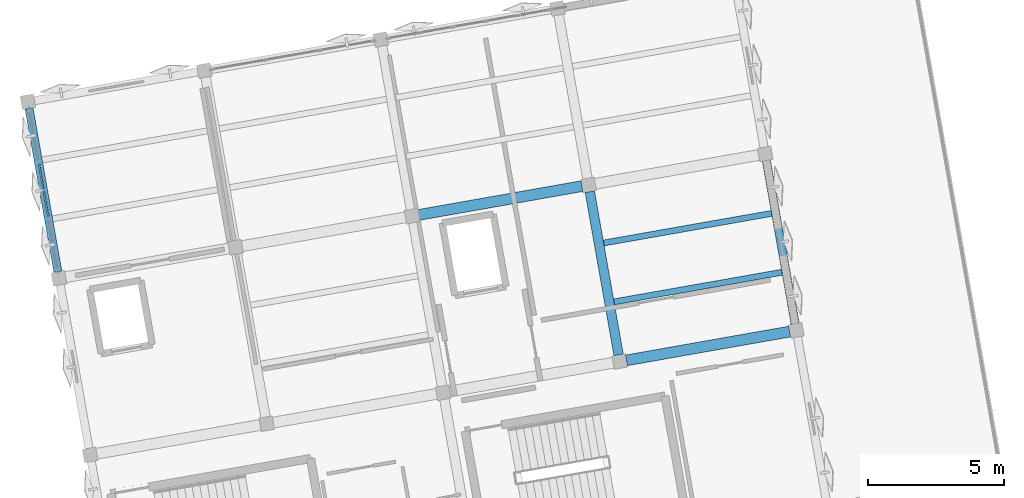
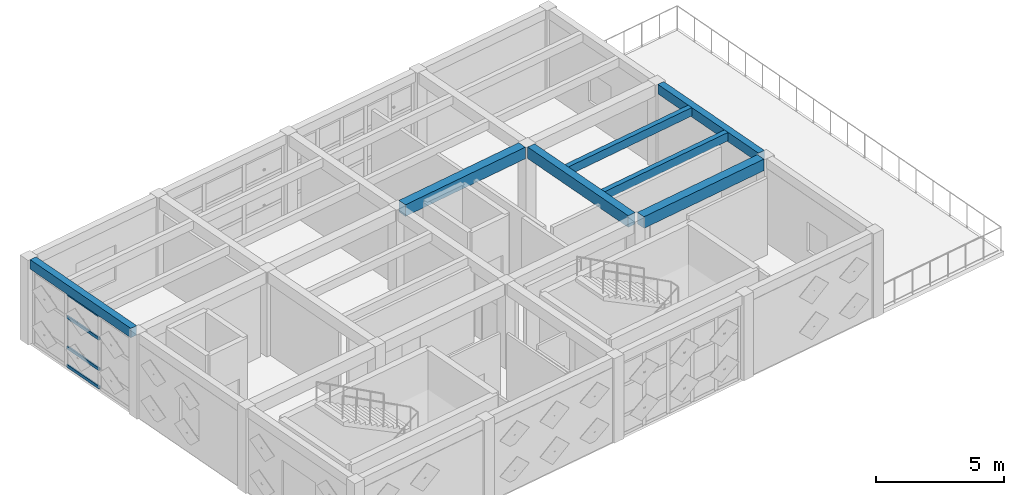
# One storey, part 5 of 13: 7 beams, 4 members, 1 element without a shape of its own.
"""IFC4 building model written with IfcOpenShell, lengths in metres."""

from ifc_helpers import new_model, si_unit, direction, frame, origin, origin_2d, place, context, subcontext, project, spatial, rectangle, hollow_rectangle, extrude, material, layer, layer_set, material_profile, profile_set, type_object, element, aggregate, save


model = new_model("IFC4")

# Units and contexts
model_context = context("Model", 3, precision=1e-05, world=origin(), true_north=direction((0.0, 1.0)))
body_context = subcontext(model_context, "Body", "Model", "MODEL_VIEW")
ifc_project = project(units=[si_unit("LENGTHUNIT", "METRE"), si_unit("AREAUNIT", "SQUARE_METRE"), si_unit("VOLUMEUNIT", "CUBIC_METRE"), si_unit("PLANEANGLEUNIT", "RADIAN"), si_unit("MASSUNIT", "GRAM", prefix="KILO")], contexts=[model_context])

# Site, building, storey
site_placement = place(None, origin())
site = spatial("IfcSite", under=ifc_project, at=site_placement, CompositionType="ELEMENT")
building_placement = place(site_placement, origin())
building = spatial("IfcBuilding", under=site, at=building_placement, Name="Kharisveld Research Institute", CompositionType="ELEMENT")
storey_placement = place(building_placement, frame((0.0, 0.0, 45.0)))
storey = spatial("IfcBuildingStorey", under=building, at=storey_placement, Name="L10", CompositionType="ELEMENT", Elevation=45.0)

# Beams
ifc_material_1 = material(Name="Concrete C40/50", Category="concrete")
ifc_material_profile_1 = material_profile(ifc_material_1, rectangle(XDim=0.35009765625, YDim=0.550048828125, at=origin_2d()))
ifc_profile_set_1 = profile_set([ifc_material_profile_1], Name="Concrete C40/50")
beam_type_1 = type_object("IfcBeamType", Name="BM_RC_350x550", PredefinedType="BEAM", material=ifc_profile_set_1)
beam_1_placement = place(storey_placement, frame((23.509765625, 45.194091796875, 3.7451171875), z_axis=(-0.173659757005, 0.984805711192, 0.0), x_axis=(-0.984805711192, -0.173659757005, 0.0)))
element("IfcBeam", 1, at=beam_1_placement, inside=storey, type_object=beam_type_1, Name="BM:V1:L10:V3_1", PredefinedType="BEAM", context=body_context, shape_type="SweptSolid", body=[
    extrude(rectangle(XDim=0.35009765625, YDim=0.550048828125, at=origin_2d()), origin(), (0.0, 0.0, 1.0), 6.10009765625),
])
ifc_material_2 = material(Name="Concrete C40/50", Category="concrete")
ifc_material_profile_2 = material_profile(ifc_material_2, rectangle(XDim=0.39990234375, YDim=0.550048828125, at=origin_2d()))
ifc_profile_set_2 = profile_set([ifc_material_profile_2], Name="Concrete C40/50")
beam_type_2 = type_object("IfcBeamType", Name="BM_RC_400x550", PredefinedType="BEAM", material=ifc_profile_set_2)
beam_2_placement = place(storey_placement, frame((23.79931640625, 44.991455078125, 3.7451171875), z_axis=(0.984812555252, 0.173620940611, 0.0), x_axis=(-0.173620940611, 0.984812555252, 0.0)))
element("IfcBeam", 2, at=beam_2_placement, inside=storey, type_object=beam_type_2, Name="BM:V1:L10:U3_1", PredefinedType="BEAM", context=body_context, shape_type="SweptSolid", body=[
    extrude(rectangle(XDim=0.39990234375, YDim=0.550048828125, at=origin_2d()), origin(), (0.0, 0.0, 1.0), 6.099853515625),
])
beam_3_placement = place(storey_placement, frame((16.153564453125, 50.344970703125, 3.7451171875), z_axis=(0.984805711192, 0.173659757005, 0.0), x_axis=(-0.173659757005, 0.984805711192, 0.0)))
element("IfcBeam", 3, at=beam_3_placement, inside=storey, type_object=beam_type_2, Name="BM:V1:L10:U2_2", PredefinedType="BEAM", context=body_context, shape_type="SweptSolid", body=[
    extrude(rectangle(XDim=0.39990234375, YDim=0.550048828125, at=origin_2d()), origin(), (0.0, 0.0, 1.0), 6.10009765625),
])

# Curtain wall, members
ifc_material_3 = material(Name="Thermally Broken Aluminium Curtain Wall", Category="aluminium")
ifc_layer = layer(ifc_material_3, 0.159912109375)
ifc_layer_set = layer_set([ifc_layer], Name="CW_SYS_05")
curtain_wall_type = type_object("IfcCurtainWallType", Name="CW_SYS_05", PredefinedType="NOTDEFINED", material=ifc_layer_set)
curtain_wall_placement = place(storey_placement, origin())
curtain_wall = element("IfcCurtainWall", 4, at=curtain_wall_placement, inside=storey, type_object=curtain_wall_type, Name="CW:V1:L10:W2", PredefinedType="NOTDEFINED")
ifc_material_4 = material(Name="Anodised Aluminium AW-6063-T6", Category="aluminium")
ifc_material_profile_3 = material_profile(ifc_material_4, hollow_rectangle(XDim=0.06494140625, YDim=0.139892578125, WallThickness=0.00390625, at=origin_2d()))
ifc_profile_set_3 = profile_set([ifc_material_profile_3], Name="Anodised Aluminium AW-6063-T6")
member_type = type_object("IfcMemberType", Name="CW_TRN_140", PredefinedType="USERDEFINED", material=ifc_profile_set_3)
member_1_placement = place(storey_placement, frame((2.505615234375, 50.291015625, 0.032470703125), z_axis=(-0.173672023659, 0.984803548023, 0.0), x_axis=(-0.984803548023, -0.173672023659, 0.0)))
member_1 = element("IfcMember", 5, at=member_1_placement, type_object=member_type, Name="CW-05 transom 2.1", ObjectType="TRANSOM", PredefinedType="USERDEFINED", context=body_context, shape_type="SweptSolid", body=[
    extrude(hollow_rectangle(XDim=0.06494140625, YDim=0.139892578125, WallThickness=0.00390625, at=origin_2d()), origin(), (0.0, 0.0, 1.0), 1.966552734375),
])
member_2_placement = place(storey_placement, frame((2.505615234375, 50.291015625, 0.89990234375), z_axis=(-0.173672023659, 0.984803548023, 0.0), x_axis=(-0.984803548023, -0.173672023659, 0.0)))
member_2 = element("IfcMember", 6, at=member_2_placement, type_object=member_type, Name="CW-05 transom 2.2", ObjectType="TRANSOM", PredefinedType="USERDEFINED", context=body_context, shape_type="SweptSolid", body=[
    extrude(hollow_rectangle(XDim=0.06494140625, YDim=0.139892578125, WallThickness=0.00390625, at=origin_2d()), origin(), (0.0, 0.0, 1.0), 1.966552734375),
])
member_3_placement = place(storey_placement, frame((2.505615234375, 50.291015625, 2.35009765625), z_axis=(-0.173672023659, 0.984803548023, 0.0), x_axis=(-0.984803548023, -0.173672023659, 0.0)))
member_3 = element("IfcMember", 7, at=member_3_placement, type_object=member_type, Name="CW-05 transom 2.3", ObjectType="TRANSOM", PredefinedType="USERDEFINED", context=body_context, shape_type="SweptSolid", body=[
    extrude(hollow_rectangle(XDim=0.06494140625, YDim=0.139892578125, WallThickness=0.00390625, at=origin_2d()), origin(), (0.0, 0.0, 1.0), 1.966552734375),
])
member_4_placement = place(storey_placement, frame((2.505615234375, 50.291015625, 3.447509765625), z_axis=(-0.173672023659, 0.984803548023, 0.0), x_axis=(-0.984803548023, -0.173672023659, 0.0)))
member_4 = element("IfcMember", 8, at=member_4_placement, type_object=member_type, Name="CW-05 transom 2.4", ObjectType="TRANSOM", PredefinedType="USERDEFINED", context=body_context, shape_type="SweptSolid", body=[
    extrude(hollow_rectangle(XDim=0.06494140625, YDim=0.139892578125, WallThickness=0.00390625, at=origin_2d()), origin(), (0.0, 0.0, 1.0), 1.966552734375),
])
aggregate(curtain_wall, [member_1, member_2, member_3, member_4])

# Beams
ifc_material_5 = material(Name="Concrete C40/50", Category="concrete")
ifc_material_profile_4 = material_profile(ifc_material_5, rectangle(XDim=0.300048828125, YDim=0.449951171875, at=origin_2d()))
ifc_profile_set_4 = profile_set([ifc_material_profile_4], Name="Concrete C40/50")
beam_type_3 = type_object("IfcBeamType", Name="SP_RC_300x450", PredefinedType="SPANDREL", material=ifc_profile_set_4)
for number, where, z_axis, x_axis, name in (
    (9, (2.864501953125, 48.255615234375, 3.794921875), (-0.173659757005, 0.984805711192, 0.0), (-0.984805711192, -0.173659757005, 0.0), "BM:V1:L10:V0_2"),
    (10, (30.009521484375, 46.34033203125, 3.794921875), (-0.173659757005, 0.984805711192, 0.0), (-0.984805711192, -0.173659757005, 0.0), "BM:V1:L10:V4_1"),
):
    element("IfcBeam", number, at=place(storey_placement, frame(where, z_axis=z_axis, x_axis=x_axis)), inside=storey, type_object=beam_type_3, Name=name, PredefinedType="SPANDREL", context=body_context, shape_type="SweptSolid", body=[
        extrude(rectangle(XDim=0.300048828125, YDim=0.449951171875, at=origin_2d()), origin(), (0.0, 0.0, 1.0), 6.10009765625),
    ])
ifc_material_6 = material(Name="Concrete C40/50", Category="concrete")
ifc_material_profile_5 = material_profile(ifc_material_6, rectangle(XDim=0.219970703125, YDim=0.39990234375, at=origin_2d()))
ifc_profile_set_5 = profile_set([ifc_material_profile_5], Name="Concrete C40/50")
beam_type_4 = type_object("IfcBeamType", Name="WB_RC_220x400", PredefinedType="JOIST", material=ifc_profile_set_5)
for number, where, z_axis, x_axis, name in (
    (11, (23.343505859375, 47.14501953125, 3.820068359375), (0.9848090074, 0.173641063528, 0.0), (-0.173641063528, 0.9848090074, 0.0), "BM:V1:L10:J_3_1_R1"),
    (12, (22.96142578125, 49.3115234375, 3.820068359375), (0.9848090074, 0.173641063528, 0.0), (-0.173641063528, 0.9848090074, 0.0), "BM:V1:L10:J_3_1_R2"),
):
    element("IfcBeam", number, at=place(storey_placement, frame(where, z_axis=z_axis, x_axis=x_axis)), inside=storey, type_object=beam_type_4, Name=name, PredefinedType="JOIST", context=body_context, shape_type="SweptSolid", body=[
        extrude(rectangle(XDim=0.219970703125, YDim=0.39990234375, at=origin_2d()), origin(), (0.0, 0.0, 1.0), 6.27490234375),
    ])

save(model, "model.ifc")
